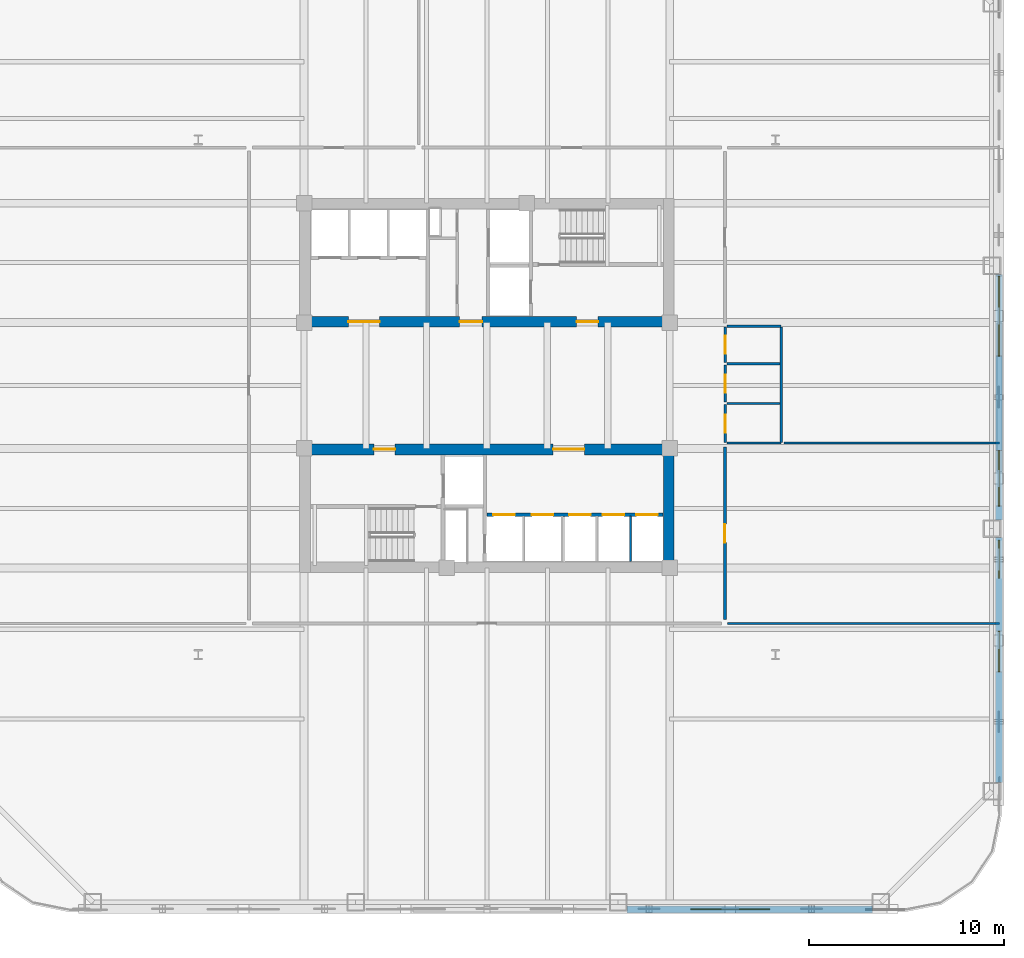
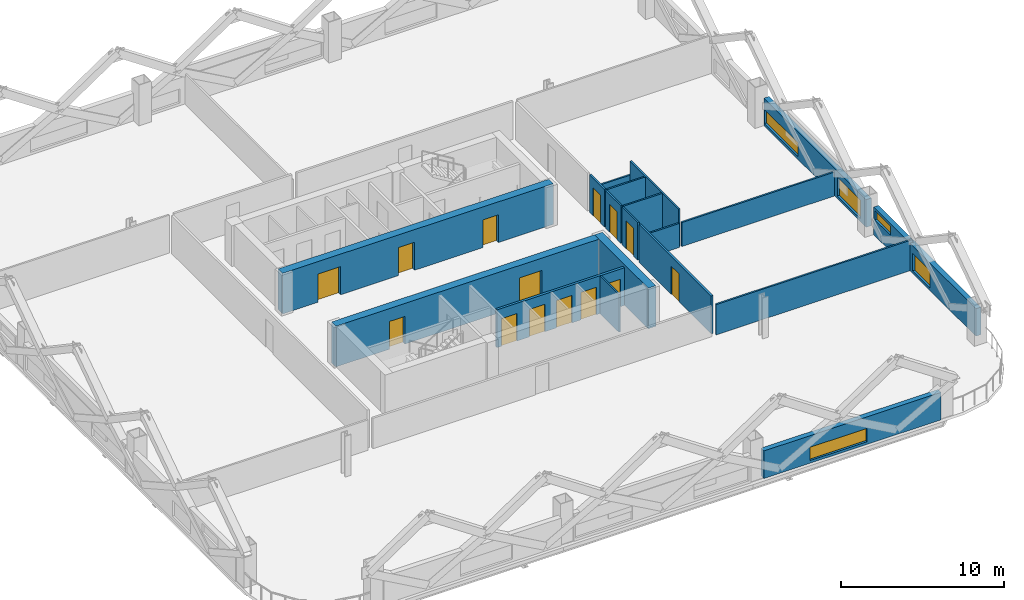
# One storey, part 5 of 13: 19 walls, 14 doors, 5 windows, 19 openings.
"""IFC4 building model written with IfcOpenShell, lengths in metres."""

from ifc_helpers import new_model, si_unit, direction, frame, frame_2d, origin, place, context, subcontext, project, spatial, rectangle, extrude, material, layer, layer_set, type_object, element, fill, save


model = new_model("IFC4")

# Units and contexts
model_context = context("Model", 3, precision=1e-05, world=origin(), true_north=direction((0.0, 1.0)))
body_context = subcontext(model_context, "Body", "Model", "MODEL_VIEW")
ifc_project = project(units=[si_unit("LENGTHUNIT", "METRE"), si_unit("AREAUNIT", "SQUARE_METRE"), si_unit("VOLUMEUNIT", "CUBIC_METRE"), si_unit("PLANEANGLEUNIT", "RADIAN"), si_unit("MASSUNIT", "GRAM", prefix="KILO")], contexts=[model_context])

# Site, building, storey
site_placement = place(None, origin())
site = spatial("IfcSite", under=ifc_project, at=site_placement, CompositionType="ELEMENT")
building_placement = place(site_placement, origin())
building = spatial("IfcBuilding", under=site, at=building_placement, Name="Qhalaya Broadcast Tower", CompositionType="ELEMENT")
storey_placement = place(building_placement, frame((0.0, 0.0, 32.199951171875)))
storey = spatial("IfcBuildingStorey", under=building, at=storey_placement, Name="L08", CompositionType="ELEMENT", Elevation=32.199951171875)

# Wall, opening, door
ifc_material_1 = material(Name="Gypsum Acoustic Partition")
ifc_layer_1 = layer(ifc_material_1, 0.14990234375, Name="Gypsum Acoustic Partition")
ifc_layer_set_1 = layer_set([ifc_layer_1], Name="Gypsum Acoustic Partition")
wall_type_1 = type_object("IfcWallType", Name="Corridor & Tenancy Acoustic Partition 150", PredefinedType="PARTITIONING", material=ifc_layer_set_1)
wall_1_placement = place(storey_placement, frame((12.199951171875, -11.39990234375, 0.0), z_axis=(0.0, 0.0, 1.0), x_axis=(0.0, 1.0, 0.0)))
wall_1 = element("IfcWall", 1, at=wall_1_placement, inside=storey, type_object=wall_type_1, Name="L08 Partition Wall W-COR-05", PredefinedType="PARTITIONING", context=body_context, shape_type="SweptSolid", body=[
    extrude(rectangle(XDim=8.83984375, YDim=0.14990234375, at=frame_2d((4.419921875, 0.0))), origin(), (0.0, 0.0, 1.0), 2.830078125),
])
opening_1_placement = place(wall_1_placement, frame((3.945068359375, 0.0, 0.0)))
opening_1 = element("IfcOpeningElement", 2, at=opening_1_placement, cuts=wall_1, Name="Opening D10", PredefinedType="OPENING", context=body_context, shape_type="SweptSolid", body=[
    extrude(rectangle(XDim=0.949951171875, YDim=2.10009765625, at=frame_2d((0.47509765625, 1.050048828125))), frame((0.0, 0.0869140625, 0.0), z_axis=(0.0, -1.0, 0.0), x_axis=(1.0, 0.0, 0.0)), (0.0, 0.0, 1.0), 0.173828125),
])
ifc_material_2 = material(Name="Timber Veneer Acoustic Door", Category="wood")
door_type_1 = type_object("IfcDoorType", Name="Cellular Office & Edit Booth Door D10", OperationType="NOTDEFINED", PredefinedType="DOOR", material=ifc_material_2)
door_1_placement = place(opening_1_placement, origin())
door_1 = element("IfcDoor", 3, at=door_1_placement, inside=storey, type_object=door_type_1, Name="L08 Door D-RM05", OperationType="SINGLE_SWING_RIGHT", OverallHeight=2.10009765625, OverallWidth=0.949951171875, PredefinedType="DOOR", context=body_context, shape_type="SweptSolid", body=[
    extrude(rectangle(XDim=0.949951171875, YDim=2.10009765625, at=frame_2d((0.47509765625, 1.050048828125))), frame((0.0, 0.02490234375, 0.0), z_axis=(0.0, -1.0, 0.0), x_axis=(1.0, 0.0, 0.0)), (0.0, 0.0, 1.0), 0.050048828125),
])
fill(opening_1, door_1)

# Wall, opening, window
ifc_material_3 = material(Name="Precast Concrete C40/50", Category="concrete")
ifc_layer_2 = layer(ifc_material_3, 0.360107421875, Name="Precast Concrete C40/50")
ifc_layer_set_2 = layer_set([ifc_layer_2], Name="Precast Concrete C40/50")
wall_type_2 = type_object("IfcWallType", Name="Insulated Precast Terracotta Exterior Wall 360", PredefinedType="SOLIDWALL", material=ifc_layer_set_2)
wall_2_placement = place(storey_placement, frame((19.761962890625, -26.260009765625, 0.0), z_axis=(0.0, 0.0, 1.0), x_axis=(-1.0, 0.0, 0.0)))
wall_2 = element("IfcWall", 4, at=wall_2_placement, inside=storey, type_object=wall_type_2, Name="L08 Exoskeleton Diagrid Infill Wall S1", PredefinedType="SOLIDWALL", context=body_context, shape_type="SweptSolid", body=[
    extrude(rectangle(XDim=12.57861328125, YDim=0.360107421875, at=frame_2d((6.289306640625, 0.0))), origin(), (0.0, 0.0, 1.0), 2.067138671875),
])
opening_2_placement = place(wall_2_placement, frame((5.25, 0.0, 0.199951171875)))
opening_2 = element("IfcOpeningElement", 5, at=opening_2_placement, cuts=wall_2, Name="Opening W11", PredefinedType="OPENING", context=body_context, shape_type="SweptSolid", body=[
    extrude(rectangle(XDim=4.050048828125, YDim=1.0, at=frame_2d((2.02490234375, 0.5))), frame((0.0, 0.192138671875, 0.0), z_axis=(0.0, -1.0, 0.0), x_axis=(1.0, 0.0, 0.0)), (0.0, 0.0, 1.0), 0.384033203125),
])
ifc_material_4 = material(Name="Solar-Control Low-E Triple Glazing", Category="glass")
window_type = type_object("IfcWindowType", Name="Odd-Block Diagrid Infill Window W11", PartitioningType="SINGLE_PANEL", PredefinedType="WINDOW", material=ifc_material_4)
window_1_placement = place(opening_2_placement, origin())
window_1 = element("IfcWindow", 6, at=window_1_placement, inside=storey, type_object=window_type, Name="L08 Diagrid Infill Window W11-S1", OverallHeight=1.0, OverallWidth=4.050048828125, PartitioningType="SINGLE_PANEL", PredefinedType="WINDOW", context=body_context, shape_type="SweptSolid", body=[
    extrude(rectangle(XDim=4.050048828125, YDim=1.0, at=frame_2d((2.02490234375, 0.5))), frame((0.0, 0.030029296875, 0.0), z_axis=(0.0, -1.0, 0.0), x_axis=(1.0, 0.0, 0.0)), (0.0, 0.0, 1.0), 0.06005859375),
])
fill(opening_2, window_1)

# Wall, openings, windows
wall_3_placement = place(storey_placement, frame((26.260009765625, 6.283203125, 0.0), z_axis=(0.0, 0.0, 1.0), x_axis=(0.0, -1.0, 0.0)))
wall_3 = element("IfcWall", 7, at=wall_3_placement, inside=storey, type_object=wall_type_2, Name="L08 Exoskeleton Diagrid Infill Wall E2", PredefinedType="SOLIDWALL", context=body_context, shape_type="SweptSolid", body=[
    extrude(rectangle(XDim=12.56640625, YDim=0.360107421875, at=frame_2d((6.283203125, 0.0))), origin(), (0.0, 0.0, 1.0), 2.067138671875),
])
opening_3_placement = place(wall_3_placement, frame((0.071044921875, 0.0, 0.199951171875)))
opening_3 = element("IfcOpeningElement", 8, at=opening_3_placement, cuts=wall_3, Name="Opening W11", PredefinedType="OPENING", context=body_context, shape_type="SweptSolid", body=[
    extrude(rectangle(XDim=4.10009765625, YDim=1.050048828125, at=frame_2d((2.050048828125, 0.52490234375))), frame((0.0, 0.192138671875, 0.0), z_axis=(0.0, -1.0, 0.0), x_axis=(1.0, 0.0, 0.0)), (0.0, 0.0, 1.0), 0.384033203125),
])
opening_4_placement = place(wall_3_placement, frame((9.02099609375, 0.0, 0.199951171875)))
opening_4 = element("IfcOpeningElement", 9, at=opening_4_placement, cuts=wall_3, Name="Opening W11", PredefinedType="OPENING", context=body_context, shape_type="SweptSolid", body=[
    extrude(rectangle(XDim=2.85009765625, YDim=1.39990234375, at=frame_2d((1.425048828125, 0.699951171875))), frame((0.0, 0.192138671875, 0.0), z_axis=(0.0, -1.0, 0.0), x_axis=(1.0, 0.0, 0.0)), (0.0, 0.0, 1.0), 0.384033203125),
])
window_2_placement = place(opening_3_placement, origin())
window_2 = element("IfcWindow", 10, at=window_2_placement, inside=storey, type_object=window_type, Name="L08 Diagrid Infill Window W11-E4", OverallHeight=1.050048828125, OverallWidth=4.10009765625, PartitioningType="SINGLE_PANEL", PredefinedType="WINDOW", context=body_context, shape_type="SweptSolid", body=[
    extrude(rectangle(XDim=4.10009765625, YDim=1.050048828125, at=frame_2d((2.050048828125, 0.52490234375))), frame((0.0, 0.030029296875, 0.0), z_axis=(0.0, -1.0, 0.0), x_axis=(1.0, 0.0, 0.0)), (0.0, 0.0, 1.0), 0.06005859375),
])
fill(opening_3, window_2)
window_3_placement = place(opening_4_placement, origin())
window_3 = element("IfcWindow", 11, at=window_3_placement, inside=storey, type_object=window_type, Name="L08 Diagrid Infill Window W11-E5", OverallHeight=1.39990234375, OverallWidth=2.85009765625, PartitioningType="SINGLE_PANEL", PredefinedType="WINDOW", context=body_context, shape_type="SweptSolid", body=[
    extrude(rectangle(XDim=2.85009765625, YDim=1.39990234375, at=frame_2d((1.425048828125, 0.699951171875))), frame((0.0, 0.030029296875, 0.0), z_axis=(0.0, -1.0, 0.0), x_axis=(1.0, 0.0, 0.0)), (0.0, 0.0, 1.0), 0.06005859375),
])
fill(opening_4, window_3)

wall_4_placement = place(storey_placement, frame((26.260009765625, -7.183349609375, 0.0), z_axis=(0.0, 0.0, 1.0), x_axis=(0.0, -1.0, 0.0)))
wall_4 = element("IfcWall", 12, at=wall_4_placement, inside=storey, type_object=wall_type_2, Name="L08 Exoskeleton Diagrid Infill Wall E3", PredefinedType="SOLIDWALL", context=body_context, shape_type="SweptSolid", body=[
    extrude(rectangle(XDim=12.57861328125, YDim=0.360107421875, at=frame_2d((6.289306640625, 0.0))), origin(), (0.0, 0.0, 1.0), 2.067138671875),
])
opening_5_placement = place(wall_4_placement, frame((0.155029296875, 0.0, 1.199951171875)))
opening_5 = element("IfcOpeningElement", 13, at=opening_5_placement, cuts=wall_4, Name="Opening W11", PredefinedType="OPENING", context=body_context, shape_type="SweptSolid", body=[
    extrude(rectangle(XDim=1.949951171875, YDim=0.699951171875, at=frame_2d((0.97509765625, 0.35009765625))), frame((0.0, 0.192138671875, 0.0), z_axis=(0.0, -1.0, 0.0), x_axis=(1.0, 0.0, 0.0)), (0.0, 0.0, 1.0), 0.384033203125),
])
opening_6_placement = place(wall_4_placement, frame((4.804931640625, 0.0, 0.199951171875)))
opening_6 = element("IfcOpeningElement", 14, at=opening_6_placement, cuts=wall_4, Name="Opening W11", PredefinedType="OPENING", context=body_context, shape_type="SweptSolid", body=[
    extrude(rectangle(XDim=2.10009765625, YDim=1.300048828125, at=frame_2d((1.050048828125, 0.64990234375))), frame((0.0, 0.192138671875, 0.0), z_axis=(0.0, -1.0, 0.0), x_axis=(1.0, 0.0, 0.0)), (0.0, 0.0, 1.0), 0.384033203125),
])
window_4_placement = place(opening_5_placement, origin())
window_4 = element("IfcWindow", 15, at=window_4_placement, inside=storey, type_object=window_type, Name="L08 Diagrid Infill Window W11-E6", OverallHeight=0.699951171875, OverallWidth=1.949951171875, PartitioningType="SINGLE_PANEL", PredefinedType="WINDOW", context=body_context, shape_type="SweptSolid", body=[
    extrude(rectangle(XDim=1.949951171875, YDim=0.699951171875, at=frame_2d((0.97509765625, 0.35009765625))), frame((0.0, 0.030029296875, 0.0), z_axis=(0.0, -1.0, 0.0), x_axis=(1.0, 0.0, 0.0)), (0.0, 0.0, 1.0), 0.06005859375),
])
fill(opening_5, window_4)
window_5_placement = place(opening_6_placement, origin())
window_5 = element("IfcWindow", 16, at=window_5_placement, inside=storey, type_object=window_type, Name="L08 Diagrid Infill Window W11-E7", OverallHeight=1.300048828125, OverallWidth=2.10009765625, PartitioningType="SINGLE_PANEL", PredefinedType="WINDOW", context=body_context, shape_type="SweptSolid", body=[
    extrude(rectangle(XDim=2.10009765625, YDim=1.300048828125, at=frame_2d((1.050048828125, 0.64990234375))), frame((0.0, 0.030029296875, 0.0), z_axis=(0.0, -1.0, 0.0), x_axis=(1.0, 0.0, 0.0)), (0.0, 0.0, 1.0), 0.06005859375),
])
fill(opening_6, window_5)

# Wall, openings, doors
ifc_material_5 = material(Name="Concrete C60/75", Category="concrete")
ifc_layer_3 = layer(ifc_material_5, 0.550048828125, Name="Concrete C60/75")
ifc_layer_set_3 = layer_set([ifc_layer_3], Name="Concrete C60/75")
wall_type_3 = type_object("IfcWallType", Name="Lower Split-Core Shear Wall 550", PredefinedType="SHEAR", material=ifc_layer_set_3)
wall_5_placement = place(storey_placement, frame((-9.60009765625, 3.875, 0.0), z_axis=(0.0, 0.0, 1.0), x_axis=(1.0, 0.0, 0.0)))
wall_5 = element("IfcWall", 17, at=wall_5_placement, inside=storey, type_object=wall_type_3, Name="L08 Split-Core Shear Wall CW-NS", PredefinedType="SHEAR", context=body_context, shape_type="SweptSolid", body=[
    extrude(rectangle(XDim=19.2001953125, YDim=0.550048828125, at=frame_2d((9.60009765625, 0.0))), origin(), (0.0, 0.0, 1.0), 3.050048828125),
])
opening_7_placement = place(wall_5_placement, frame((14.199951171875, 0.0, 0.0)))
opening_7 = element("IfcOpeningElement", 18, at=opening_7_placement, cuts=wall_5, Name="Opening D04", PredefinedType="OPENING", context=body_context, shape_type="SweptSolid", body=[
    extrude(rectangle(XDim=1.10009765625, YDim=2.080078125, at=frame_2d((0.550048828125, 1.0400390625))), frame((0.0, 0.287109375, 0.0), z_axis=(0.0, -1.0, 0.0), x_axis=(1.0, 0.0, 0.0)), (0.0, 0.0, 1.0), 0.573974609375),
])
opening_8_placement = place(wall_5_placement, frame((8.199951171875, 0.0, 0.0)))
opening_8 = element("IfcOpeningElement", 19, at=opening_8_placement, cuts=wall_5, Name="Opening D05", PredefinedType="OPENING", context=body_context, shape_type="SweptSolid", body=[
    extrude(rectangle(XDim=1.14990234375, YDim=2.10009765625, at=frame_2d((0.574951171875, 1.050048828125))), frame((0.0, 0.287109375, 0.0), z_axis=(0.0, -1.0, 0.0), x_axis=(1.0, 0.0, 0.0)), (0.0, 0.0, 1.0), 0.573974609375),
])
opening_9_placement = place(wall_5_placement, frame((2.5, 0.0, 0.0)))
opening_9 = element("IfcOpeningElement", 20, at=opening_9_placement, cuts=wall_5, Name="Opening D07", PredefinedType="OPENING", context=body_context, shape_type="SweptSolid", body=[
    extrude(rectangle(XDim=1.60009765625, YDim=2.1201171875, at=frame_2d((0.800048828125, 1.06005859375))), frame((0.0, 0.287109375, 0.0), z_axis=(0.0, -1.0, 0.0), x_axis=(1.0, 0.0, 0.0)), (0.0, 0.0, 1.0), 0.573974609375),
])
ifc_material_6 = material(Name="Fire-Rated Steel Door", Category="steel")
door_type_2 = type_object("IfcDoorType", Name="Firefighting Lobby Rated Door D04", OperationType="NOTDEFINED", PredefinedType="DOOR", material=ifc_material_6)
door_2_placement = place(opening_7_placement, origin())
door_2 = element("IfcDoor", 21, at=door_2_placement, inside=storey, type_object=door_type_2, Name="L08 Door D-NFF", OperationType="SINGLE_SWING_RIGHT", OverallHeight=2.080078125, OverallWidth=1.10009765625, PredefinedType="DOOR", context=body_context, shape_type="SweptSolid", body=[
    extrude(rectangle(XDim=1.10009765625, YDim=2.080078125, at=frame_2d((0.550048828125, 1.0400390625))), frame((0.0, 0.02490234375, 0.0), z_axis=(0.0, -1.0, 0.0), x_axis=(1.0, 0.0, 0.0)), (0.0, 0.0, 1.0), 0.050048828125),
])
fill(opening_7, door_2)
ifc_material_7 = material(Name="Anodised Aluminium Glazed Door", Category="aluminium")
door_type_3 = type_object("IfcDoorType", Name="Passenger Lift Lobby Double Glazed Door D07", OperationType="DOUBLE_DOOR_SINGLE_SWING", PredefinedType="DOOR", material=ifc_material_7)
door_3_placement = place(opening_9_placement, origin())
door_3 = element("IfcDoor", 22, at=door_3_placement, inside=storey, type_object=door_type_3, Name="L08 Door D-NPLL", OperationType="DOUBLE_DOOR_SINGLE_SWING", OverallHeight=2.1201171875, OverallWidth=1.60009765625, PredefinedType="DOOR", context=body_context, shape_type="SweptSolid", body=[
    extrude(rectangle(XDim=1.60009765625, YDim=2.1201171875, at=frame_2d((0.800048828125, 1.06005859375))), frame((0.0, 0.02490234375, 0.0), z_axis=(0.0, -1.0, 0.0), x_axis=(1.0, 0.0, 0.0)), (0.0, 0.0, 1.0), 0.050048828125),
])
fill(opening_9, door_3)
door_type_4 = type_object("IfcDoorType", Name="Refuge & Plant Room Fire Door D05", OperationType="NOTDEFINED", PredefinedType="DOOR", material=ifc_material_6)
door_4_placement = place(opening_8_placement, origin())
door_4 = element("IfcDoor", 23, at=door_4_placement, inside=storey, type_object=door_type_4, Name="L08 Door D-NSVL", OperationType="SINGLE_SWING_LEFT", OverallHeight=2.10009765625, OverallWidth=1.14990234375, PredefinedType="DOOR", context=body_context, shape_type="SweptSolid", body=[
    extrude(rectangle(XDim=1.14990234375, YDim=2.10009765625, at=frame_2d((0.574951171875, 1.050048828125))), frame((0.0, 0.02490234375, 0.0), z_axis=(0.0, -1.0, 0.0), x_axis=(1.0, 0.0, 0.0)), (0.0, 0.0, 1.0), 0.050048828125),
])
fill(opening_8, door_4)

wall_6_placement = place(storey_placement, frame((-9.60009765625, -2.675048828125, 0.0), z_axis=(0.0, 0.0, 1.0), x_axis=(1.0, 0.0, 0.0)))
wall_6 = element("IfcWall", 24, at=wall_6_placement, inside=storey, type_object=wall_type_3, Name="L08 Split-Core Shear Wall CW-SN", PredefinedType="SHEAR", context=body_context, shape_type="SweptSolid", body=[
    extrude(rectangle(XDim=19.2001953125, YDim=0.550048828125, at=frame_2d((9.60009765625, 0.0))), origin(), (0.0, 0.0, 1.0), 3.050048828125),
])
opening_10_placement = place(wall_6_placement, frame((3.800048828125, 0.0, 0.0)))
opening_10 = element("IfcOpeningElement", 25, at=opening_10_placement, cuts=wall_6, Name="Opening D04", PredefinedType="OPENING", context=body_context, shape_type="SweptSolid", body=[
    extrude(rectangle(XDim=1.10009765625, YDim=2.080078125, at=frame_2d((0.550048828125, 1.0400390625))), frame((0.0, 0.287109375, 0.0), z_axis=(0.0, -1.0, 0.0), x_axis=(1.0, 0.0, 0.0)), (0.0, 0.0, 1.0), 0.573974609375),
])
opening_11_placement = place(wall_6_placement, frame((13.0, 0.0, 0.0)))
opening_11 = element("IfcOpeningElement", 26, at=opening_11_placement, cuts=wall_6, Name="Opening D07", PredefinedType="OPENING", context=body_context, shape_type="SweptSolid", body=[
    extrude(rectangle(XDim=1.60009765625, YDim=2.1201171875, at=frame_2d((0.800048828125, 1.06005859375))), frame((0.0, 0.287109375, 0.0), z_axis=(0.0, -1.0, 0.0), x_axis=(1.0, 0.0, 0.0)), (0.0, 0.0, 1.0), 0.573974609375),
])
door_5_placement = place(opening_10_placement, origin())
door_5 = element("IfcDoor", 27, at=door_5_placement, inside=storey, type_object=door_type_2, Name="L08 Door D-SFF", OperationType="SINGLE_SWING_LEFT", OverallHeight=2.080078125, OverallWidth=1.10009765625, PredefinedType="DOOR", context=body_context, shape_type="SweptSolid", body=[
    extrude(rectangle(XDim=1.10009765625, YDim=2.080078125, at=frame_2d((0.550048828125, 1.0400390625))), frame((0.0, 0.02490234375, 0.0), z_axis=(0.0, -1.0, 0.0), x_axis=(1.0, 0.0, 0.0)), (0.0, 0.0, 1.0), 0.050048828125),
])
fill(opening_10, door_5)
door_6_placement = place(opening_11_placement, origin())
door_6 = element("IfcDoor", 28, at=door_6_placement, inside=storey, type_object=door_type_3, Name="L08 Door D-SPLL", OperationType="DOUBLE_DOOR_SINGLE_SWING", OverallHeight=2.1201171875, OverallWidth=1.60009765625, PredefinedType="DOOR", context=body_context, shape_type="SweptSolid", body=[
    extrude(rectangle(XDim=1.60009765625, YDim=2.1201171875, at=frame_2d((0.800048828125, 1.06005859375))), frame((0.0, 0.02490234375, 0.0), z_axis=(0.0, -1.0, 0.0), x_axis=(1.0, 0.0, 0.0)), (0.0, 0.0, 1.0), 0.050048828125),
])
fill(opening_11, door_6)

# Walls
wall_7_placement = place(storey_placement, frame((9.324951171875, -9.0, 0.0), z_axis=(0.0, 0.0, 1.0), x_axis=(0.0, 1.0, 0.0)))
element("IfcWall", 29, at=wall_7_placement, inside=storey, type_object=wall_type_3, Name="L08 Split-Core Shear Wall CW-SE", PredefinedType="SHEAR", context=body_context, shape_type="SweptSolid", body=[
    extrude(rectangle(XDim=6.60009765625, YDim=0.550048828125, at=frame_2d((3.300048828125, 0.0))), origin(), (0.0, 0.0, 1.0), 3.050048828125),
])
ifc_layer_4 = layer(ifc_material_1, 0.1201171875, Name="Gypsum Acoustic Partition")
ifc_layer_set_4 = layer_set([ifc_layer_4], Name="Gypsum Acoustic Partition")
wall_type_4 = type_object("IfcWallType", Name="Office, Booth & Sanitary Partition 120", PredefinedType="PARTITIONING", material=ifc_layer_set_4)
wall_8_placement = place(storey_placement, frame((7.360107421875, -8.429931640625, 0.0), z_axis=(0.0, 0.0, 1.0), x_axis=(0.0, 1.0, 0.0)))
element("IfcWall", 30, at=wall_8_placement, inside=storey, type_object=wall_type_4, Name="L08 Partition Wall SCW-HD7", PredefinedType="PARTITIONING", context=body_context, shape_type="SweptSolid", body=[
    extrude(rectangle(XDim=2.329833984375, YDim=0.1201171875, at=frame_2d((1.1650390625, 0.0))), origin(), (0.0, 0.0, 1.0), 2.830078125),
])

# Wall, opening, door
wall_9_placement = place(storey_placement, frame((12.219970703125, -2.320068359375, 0.0), z_axis=(0.0, 0.0, 1.0), x_axis=(0.0, 1.0, 0.0)))
wall_9 = element("IfcWall", 31, at=wall_9_placement, inside=storey, type_object=wall_type_4, Name="L08 Partition Wall W-WCWA", PredefinedType="PARTITIONING", context=body_context, shape_type="SweptSolid", body=[
    extrude(rectangle(XDim=1.940185546875, YDim=0.1201171875, at=frame_2d((0.97021484375, 0.0))), origin(), (0.0, 0.0, 1.0), 2.830078125),
])
opening_12_placement = place(wall_9_placement, frame((0.4951171875, 0.0, 0.0)))
opening_12 = element("IfcOpeningElement", 32, at=opening_12_placement, cuts=wall_9, Name="Opening D12", PredefinedType="OPENING", context=body_context, shape_type="SweptSolid", body=[
    extrude(rectangle(XDim=0.919921875, YDim=2.10009765625, at=frame_2d((0.4599609375, 1.050048828125))), frame((0.0, 0.072021484375, 0.0), z_axis=(0.0, -1.0, 0.0), x_axis=(1.0, 0.0, 0.0)), (0.0, 0.0, 1.0), 0.14404296875),
])
door_type_5 = type_object("IfcDoorType", Name="Accessible WC & Restroom Door D12", OperationType="NOTDEFINED", PredefinedType="DOOR", material=ifc_material_2)
door_7_placement = place(opening_12_placement, origin())
door_7 = element("IfcDoor", 33, at=door_7_placement, inside=storey, type_object=door_type_5, Name="L08 Door D-WCA", OperationType="SINGLE_SWING_LEFT", OverallHeight=2.10009765625, OverallWidth=0.919921875, PredefinedType="DOOR", context=body_context, shape_type="SweptSolid", body=[
    extrude(rectangle(XDim=0.919921875, YDim=2.10009765625, at=frame_2d((0.4599609375, 1.050048828125))), frame((0.0, 0.02490234375, 0.0), z_axis=(0.0, -1.0, 0.0), x_axis=(1.0, 0.0, 0.0)), (0.0, 0.0, 1.0), 0.050048828125),
])
fill(opening_12, door_7)

wall_10_placement = place(storey_placement, frame((12.219970703125, -0.25, 0.0), z_axis=(0.0, 0.0, 1.0), x_axis=(0.0, 1.0, 0.0)))
wall_10 = element("IfcWall", 34, at=wall_10_placement, inside=storey, type_object=wall_type_4, Name="L08 Partition Wall W-WCWM", PredefinedType="PARTITIONING", context=body_context, shape_type="SweptSolid", body=[
    extrude(rectangle(XDim=1.89990234375, YDim=0.1201171875, at=frame_2d((0.949951171875, 0.0))), origin(), (0.0, 0.0, 1.0), 2.830078125),
])
opening_13_placement = place(wall_10_placement, frame((0.47509765625, 0.0, 0.0)))
opening_13 = element("IfcOpeningElement", 35, at=opening_13_placement, cuts=wall_10, Name="Opening D12", PredefinedType="OPENING", context=body_context, shape_type="SweptSolid", body=[
    extrude(rectangle(XDim=0.919921875, YDim=2.10009765625, at=frame_2d((0.4599609375, 1.050048828125))), frame((0.0, 0.072021484375, 0.0), z_axis=(0.0, -1.0, 0.0), x_axis=(1.0, 0.0, 0.0)), (0.0, 0.0, 1.0), 0.14404296875),
])
door_8_placement = place(opening_13_placement, origin())
door_8 = element("IfcDoor", 36, at=door_8_placement, inside=storey, type_object=door_type_5, Name="L08 Door D-WCM", OperationType="SINGLE_SWING_RIGHT", OverallHeight=2.10009765625, OverallWidth=0.919921875, PredefinedType="DOOR", context=body_context, shape_type="SweptSolid", body=[
    extrude(rectangle(XDim=0.919921875, YDim=2.10009765625, at=frame_2d((0.4599609375, 1.050048828125))), frame((0.0, 0.02490234375, 0.0), z_axis=(0.0, -1.0, 0.0), x_axis=(1.0, 0.0, 0.0)), (0.0, 0.0, 1.0), 0.050048828125),
])
fill(opening_13, door_8)

wall_11_placement = place(storey_placement, frame((12.219970703125, 1.780029296875, 0.0), z_axis=(0.0, 0.0, 1.0), x_axis=(0.0, 1.0, 0.0)))
wall_11 = element("IfcWall", 37, at=wall_11_placement, inside=storey, type_object=wall_type_4, Name="L08 Partition Wall W-WCWF", PredefinedType="PARTITIONING", context=body_context, shape_type="SweptSolid", body=[
    extrude(rectangle(XDim=1.830078125, YDim=0.1201171875, at=frame_2d((0.9150390625, 0.0))), origin(), (0.0, 0.0, 1.0), 2.830078125),
])
opening_14_placement = place(wall_11_placement, frame((0.43994140625, 0.0, 0.0)))
opening_14 = element("IfcOpeningElement", 38, at=opening_14_placement, cuts=wall_11, Name="Opening D12", PredefinedType="OPENING", context=body_context, shape_type="SweptSolid", body=[
    extrude(rectangle(XDim=0.919921875, YDim=2.10009765625, at=frame_2d((0.4599609375, 1.050048828125))), frame((0.0, 0.072021484375, 0.0), z_axis=(0.0, -1.0, 0.0), x_axis=(1.0, 0.0, 0.0)), (0.0, 0.0, 1.0), 0.14404296875),
])
door_9_placement = place(opening_14_placement, origin())
door_9 = element("IfcDoor", 39, at=door_9_placement, inside=storey, type_object=door_type_5, Name="L08 Door D-WCF", OperationType="SINGLE_SWING_LEFT", OverallHeight=2.10009765625, OverallWidth=0.919921875, PredefinedType="DOOR", context=body_context, shape_type="SweptSolid", body=[
    extrude(rectangle(XDim=0.919921875, YDim=2.10009765625, at=frame_2d((0.4599609375, 1.050048828125))), frame((0.0, 0.02490234375, 0.0), z_axis=(0.0, -1.0, 0.0), x_axis=(1.0, 0.0, 0.0)), (0.0, 0.0, 1.0), 0.050048828125),
])
fill(opening_14, door_9)

# Walls
wall_12_placement = place(storey_placement, frame((15.10009765625, -2.320068359375, 0.0), z_axis=(0.0, 0.0, 1.0), x_axis=(0.0, 1.0, 0.0)))
element("IfcWall", 40, at=wall_12_placement, inside=storey, type_object=wall_type_4, Name="L08 Partition Wall W-WCE", PredefinedType="PARTITIONING", context=body_context, shape_type="SweptSolid", body=[
    extrude(rectangle(XDim=5.93017578125, YDim=0.1201171875, at=frame_2d((2.965087890625, 0.0))), origin(), (0.0, 0.0, 1.0), 2.830078125),
])
for number, where, z_axis, x_axis, name in (
    (41, (12.31005859375, -2.35009765625, 0.0), (0.0, 0.0, 1.0), (1.0, 0.0, 0.0), "L08 Partition Wall W-WCS"),
    (42, (12.31005859375, 3.639892578125, 0.0), (0.0, 0.0, 1.0), (1.0, 0.0, 0.0), "L08 Partition Wall W-WCN"),
):
    element("IfcWall", number, at=place(storey_placement, frame(where, z_axis=z_axis, x_axis=x_axis)), inside=storey, type_object=wall_type_4, Name=name, PredefinedType="PARTITIONING", context=body_context, shape_type="SweptSolid", body=[
        extrude(rectangle(XDim=2.760009765625, YDim=0.1201171875, at=frame_2d((1.3798828125, 0.0))), origin(), (0.0, 0.0, 1.0), 1.799072265625),
    ])
for number, where, z_axis, x_axis, name in (
    (43, (12.31005859375, -0.320068359375, 0.0), (0.0, 0.0, 1.0), (1.0, 0.0, 0.0), "L08 Partition Wall W-WCD1"),
    (44, (12.31005859375, 1.719970703125, 0.0), (0.0, 0.0, 1.0), (1.0, 0.0, 0.0), "L08 Partition Wall W-WCD2"),
):
    element("IfcWall", number, at=place(storey_placement, frame(where, z_axis=z_axis, x_axis=x_axis)), inside=storey, type_object=wall_type_4, Name=name, PredefinedType="PARTITIONING", context=body_context, shape_type="SweptSolid", body=[
        extrude(rectangle(XDim=2.719970703125, YDim=0.1201171875, at=frame_2d((1.35986328125, 0.0))), origin(), (0.0, 0.0, 1.0), 2.830078125),
    ])
wall_13_placement = place(storey_placement, frame((12.340087890625, -11.60009765625, 0.0), z_axis=(0.0, 0.0, 1.0), x_axis=(1.0, 0.0, 0.0)))
element("IfcWall", 45, at=wall_13_placement, inside=storey, type_object=wall_type_4, Name="L08 Partition Wall W-BNDE2", PredefinedType="PARTITIONING", context=body_context, shape_type="SweptSolid", body=[
    extrude(rectangle(XDim=13.93994140625, YDim=0.1201171875, at=frame_2d((6.969970703125, 0.0))), origin(), (0.0, 0.0, 1.0), 2.274169921875),
])
wall_14_placement = place(storey_placement, frame((15.239990234375, -2.35009765625, 0.0), z_axis=(0.0, 0.0, 1.0), x_axis=(1.0, 0.0, 0.0)))
element("IfcWall", 46, at=wall_14_placement, inside=storey, type_object=wall_type_4, Name="L08 Partition Wall W-DIVE-WC", PredefinedType="PARTITIONING", context=body_context, shape_type="SweptSolid", body=[
    extrude(rectangle(XDim=11.0400390625, YDim=0.1201171875, at=frame_2d((5.52001953125, 0.0))), origin(), (0.0, 0.0, 1.0), 1.799072265625),
])

# Wall, openings, doors
ifc_layer_5 = layer(ifc_material_1, 0.175048828125, Name="Gypsum Acoustic Partition")
ifc_layer_set_5 = layer_set([ifc_layer_5], Name="Gypsum Acoustic Partition")
wall_type_5 = type_object("IfcWallType", Name="Shaft & Riser Fire Partition 175", PredefinedType="PARTITIONING", material=ifc_layer_set_5)
wall_15_placement = place(storey_placement, frame((0.0, -6.02001953125, 0.0), z_axis=(0.0, 0.0, 1.0), x_axis=(1.0, 0.0, 0.0)))
wall_15 = element("IfcWall", 47, at=wall_15_placement, inside=storey, type_object=wall_type_5, Name="L08 Partition Wall SCW-SLB", PredefinedType="PARTITIONING", context=body_context, shape_type="SweptSolid", body=[
    extrude(rectangle(XDim=9.030029296875, YDim=0.175048828125, at=frame_2d((4.51513671875, 0.0))), origin(), (0.0, 0.0, 1.0), 2.830078125),
])
opening_15_placement = place(wall_15_placement, frame((0.330078125, 0.0, 0.0)))
opening_15 = element("IfcOpeningElement", 48, at=opening_15_placement, cuts=wall_15, Name="Opening LD1", PredefinedType="OPENING", context=body_context, shape_type="SweptSolid", body=[
    extrude(rectangle(XDim=1.10009765625, YDim=2.06005859375, at=frame_2d((0.550048828125, 1.030029296875))), frame((0.0, 0.099609375, 0.0), z_axis=(0.0, -1.0, 0.0), x_axis=(1.0, 0.0, 0.0)), (0.0, 0.0, 1.0), 0.198974609375),
])
opening_16_placement = place(wall_15_placement, frame((2.300048828125, 0.0, 0.0)))
opening_16 = element("IfcOpeningElement", 49, at=opening_16_placement, cuts=wall_15, Name="Opening LD1", PredefinedType="OPENING", context=body_context, shape_type="SweptSolid", body=[
    extrude(rectangle(XDim=1.10009765625, YDim=2.06005859375, at=frame_2d((0.550048828125, 1.030029296875))), frame((0.0, 0.099609375, 0.0), z_axis=(0.0, -1.0, 0.0), x_axis=(1.0, 0.0, 0.0)), (0.0, 0.0, 1.0), 0.198974609375),
])
opening_17_placement = place(wall_15_placement, frame((4.219970703125, 0.0, 0.0)))
opening_17 = element("IfcOpeningElement", 50, at=opening_17_placement, cuts=wall_15, Name="Opening LD1", PredefinedType="OPENING", context=body_context, shape_type="SweptSolid", body=[
    extrude(rectangle(XDim=1.10009765625, YDim=2.06005859375, at=frame_2d((0.550048828125, 1.030029296875))), frame((0.0, 0.099609375, 0.0), z_axis=(0.0, -1.0, 0.0), x_axis=(1.0, 0.0, 0.0)), (0.0, 0.0, 1.0), 0.198974609375),
])
opening_18_placement = place(wall_15_placement, frame((5.93994140625, 0.0, 0.0)))
opening_18 = element("IfcOpeningElement", 51, at=opening_18_placement, cuts=wall_15, Name="Opening LD1", PredefinedType="OPENING", context=body_context, shape_type="SweptSolid", body=[
    extrude(rectangle(XDim=1.10009765625, YDim=2.06005859375, at=frame_2d((0.550048828125, 1.030029296875))), frame((0.0, 0.099609375, 0.0), z_axis=(0.0, -1.0, 0.0), x_axis=(1.0, 0.0, 0.0)), (0.0, 0.0, 1.0), 0.198974609375),
])
opening_19_placement = place(wall_15_placement, frame((7.659912109375, 0.0, 0.0)))
opening_19 = element("IfcOpeningElement", 52, at=opening_19_placement, cuts=wall_15, Name="Opening LD1", PredefinedType="OPENING", context=body_context, shape_type="SweptSolid", body=[
    extrude(rectangle(XDim=1.10009765625, YDim=2.06005859375, at=frame_2d((0.550048828125, 1.030029296875))), frame((0.0, 0.099609375, 0.0), z_axis=(0.0, -1.0, 0.0), x_axis=(1.0, 0.0, 0.0)), (0.0, 0.0, 1.0), 0.198974609375),
])
ifc_material_8 = material(Name="Brushed Stainless Steel Lift Door", Category="steel")
door_type_6 = type_object("IfcDoorType", Name="Passenger Lift Sliding Landing Door LD1", OperationType="DOUBLE_DOOR_SLIDING", PredefinedType="DOOR", material=ifc_material_8)
door_10_placement = place(opening_15_placement, origin())
door_10 = element("IfcDoor", 53, at=door_10_placement, inside=storey, type_object=door_type_6, Name="L08 Door LD-P4", OperationType="DOUBLE_DOOR_SLIDING", OverallHeight=2.06005859375, OverallWidth=1.10009765625, PredefinedType="DOOR", context=body_context, shape_type="SweptSolid", body=[
    extrude(rectangle(XDim=1.10009765625, YDim=2.06005859375, at=frame_2d((0.550048828125, 1.030029296875))), frame((0.0, 0.02490234375, 0.0), z_axis=(0.0, -1.0, 0.0), x_axis=(1.0, 0.0, 0.0)), (0.0, 0.0, 1.0), 0.050048828125),
])
fill(opening_15, door_10)
door_11_placement = place(opening_16_placement, origin())
door_11 = element("IfcDoor", 54, at=door_11_placement, inside=storey, type_object=door_type_6, Name="L08 Door LD-P5", OperationType="DOUBLE_DOOR_SLIDING", OverallHeight=2.06005859375, OverallWidth=1.10009765625, PredefinedType="DOOR", context=body_context, shape_type="SweptSolid", body=[
    extrude(rectangle(XDim=1.10009765625, YDim=2.06005859375, at=frame_2d((0.550048828125, 1.030029296875))), frame((0.0, 0.02490234375, 0.0), z_axis=(0.0, -1.0, 0.0), x_axis=(1.0, 0.0, 0.0)), (0.0, 0.0, 1.0), 0.050048828125),
])
fill(opening_16, door_11)
door_12_placement = place(opening_17_placement, origin())
door_12 = element("IfcDoor", 55, at=door_12_placement, inside=storey, type_object=door_type_6, Name="L08 Door LD-P6", OperationType="DOUBLE_DOOR_SLIDING", OverallHeight=2.06005859375, OverallWidth=1.10009765625, PredefinedType="DOOR", context=body_context, shape_type="SweptSolid", body=[
    extrude(rectangle(XDim=1.10009765625, YDim=2.06005859375, at=frame_2d((0.550048828125, 1.030029296875))), frame((0.0, 0.02490234375, 0.0), z_axis=(0.0, -1.0, 0.0), x_axis=(1.0, 0.0, 0.0)), (0.0, 0.0, 1.0), 0.050048828125),
])
fill(opening_17, door_12)
door_13_placement = place(opening_18_placement, origin())
door_13 = element("IfcDoor", 56, at=door_13_placement, inside=storey, type_object=door_type_6, Name="L08 Door LD-P7", OperationType="DOUBLE_DOOR_SLIDING", OverallHeight=2.06005859375, OverallWidth=1.10009765625, PredefinedType="DOOR", context=body_context, shape_type="SweptSolid", body=[
    extrude(rectangle(XDim=1.10009765625, YDim=2.06005859375, at=frame_2d((0.550048828125, 1.030029296875))), frame((0.0, 0.02490234375, 0.0), z_axis=(0.0, -1.0, 0.0), x_axis=(1.0, 0.0, 0.0)), (0.0, 0.0, 1.0), 0.050048828125),
])
fill(opening_18, door_13)
door_14_placement = place(opening_19_placement, origin())
door_14 = element("IfcDoor", 57, at=door_14_placement, inside=storey, type_object=door_type_6, Name="L08 Door LD-P8", OperationType="DOUBLE_DOOR_SLIDING", OverallHeight=2.06005859375, OverallWidth=1.10009765625, PredefinedType="DOOR", context=body_context, shape_type="SweptSolid", body=[
    extrude(rectangle(XDim=1.10009765625, YDim=2.06005859375, at=frame_2d((0.550048828125, 1.030029296875))), frame((0.0, 0.02490234375, 0.0), z_axis=(0.0, -1.0, 0.0), x_axis=(1.0, 0.0, 0.0)), (0.0, 0.0, 1.0), 0.050048828125),
])
fill(opening_19, door_14)

save(model, "model.ifc")
